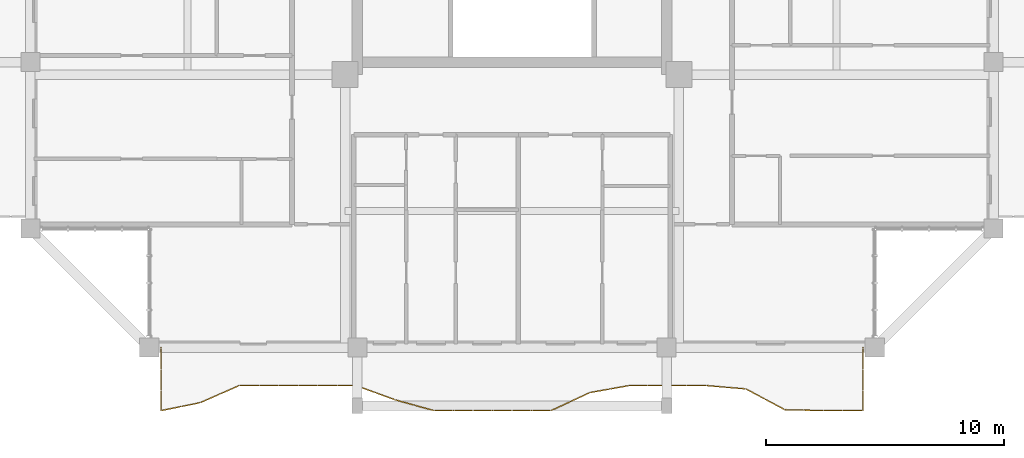
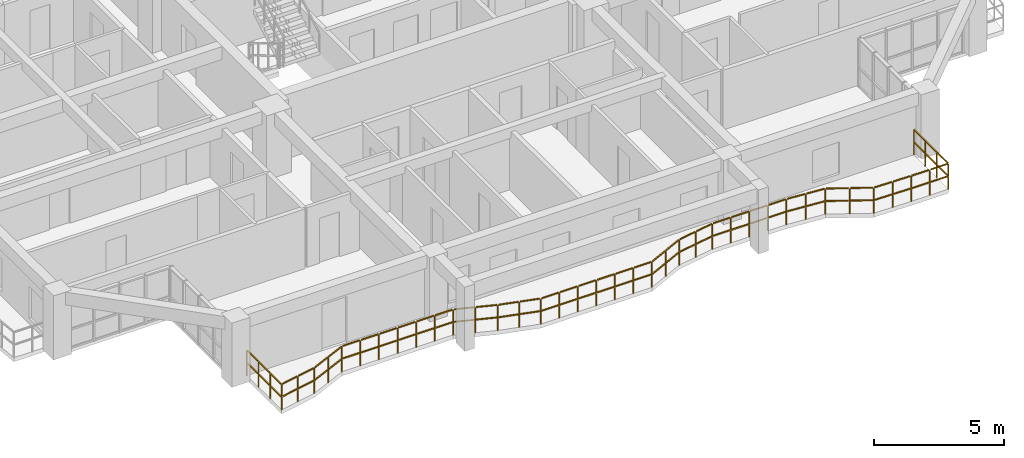
# One storey, part 18 of 22: 1 railing.
"""IFC4 building model written with IfcOpenShell, lengths in metres."""

import ifcopenshell
import ifcopenshell.guid

model = None  # the IFC model being written
_history = None  # IfcOwnerHistory: only IFC2X3 demands one
_inside = {}  # id of a spatial element -> (the spatial element, [elements in it])
_under = {}  # id of a project, library or spatial element -> (it, [spatial elements below it])
_declared = {}  # id of a project -> (the project, [libraries it declares])
_typed = {}  # id of a type object -> (the type object, [elements of that type])
_made_of = {}  # id of a material, layer set ... -> (it, [elements and type objects made of it])


def new_model(schema):
    """Start an empty IFC model of exactly this schema.

    Asked for "IFC4X3", IfcOpenShell would pick the latest addendum, in which some entities
    have other attributes; the version numbers below select the first issue.
    IFC2X3 requires an IfcOwnerHistory on every rooted entity: one is made here for all.
    """
    global model, _history
    if schema == "IFC4X3":
        model = ifcopenshell.file(schema_version=(4, 3, 0, 0))
    else:
        model = ifcopenshell.file(schema=schema)
    _inside.clear()
    _under.clear()
    _declared.clear()
    _typed.clear()
    _made_of.clear()
    _history = None
    if model.schema == "IFC2X3":
        org = make("IfcOrganization", Name="unknown")
        user = make(
            "IfcPersonAndOrganization",
            ThePerson=make("IfcPerson", FamilyName="unknown"),
            TheOrganization=org,
        )
        app = make(
            "IfcApplication",
            ApplicationDeveloper=org,
            Version="unknown",
            ApplicationFullName="unknown",
            ApplicationIdentifier="unknown",
        )
        _history = make(
            "IfcOwnerHistory",
            OwningUser=user,
            OwningApplication=app,
            ChangeAction="ADDED",
            CreationDate=0,
        )
    return model


def make(cls, **values):
    """One entity of the class cls with the attributes given. An attribute that is None is left unset."""
    return model.create_entity(
        cls, **{name: value for name, value in values.items() if value is not None}
    )


def rooted(cls, **values):
    """An entity with a GlobalId (a new one), such as an element, a storey or a relation."""
    return make(cls, GlobalId=ifcopenshell.guid.new(), OwnerHistory=_history, **values)


def si_unit(unit_type, name, prefix=None):
    """IfcSIUnit, for example si_unit("LENGTHUNIT", "METRE", prefix="MILLI")."""
    return make("IfcSIUnit", UnitType=unit_type, Prefix=prefix, Name=name)


def assignment(units):
    """IfcUnitAssignment: the units of a project."""
    return None if units is None else make("IfcUnitAssignment", Units=units)


def point(xyz):
    """IfcCartesianPoint."""
    return None if xyz is None else make("IfcCartesianPoint", Coordinates=xyz)


def direction(xyz):
    """IfcDirection."""
    return None if xyz is None else make("IfcDirection", DirectionRatios=xyz)


def frame(location, z_axis=None, x_axis=None):
    """IfcAxis2Placement3D, a coordinate frame: its origin and axes. An axis left out is left unset."""
    return make(
        "IfcAxis2Placement3D",
        Location=point(location),
        Axis=direction(z_axis),
        RefDirection=direction(x_axis),
    )


def frame_2d(location, x_axis=None):
    """IfcAxis2Placement2D, a coordinate frame in the plane: its origin and x axis."""
    return make(
        "IfcAxis2Placement2D", Location=point(location), RefDirection=direction(x_axis)
    )


def origin():
    """The frame at (0, 0, 0) with its axes left unset."""
    return frame((0.0, 0.0, 0.0))


def origin_2d():
    """The frame at (0, 0) in the plane with its x axis left unset."""
    return frame_2d((0.0, 0.0))


def place(relative_to, where):
    """IfcLocalPlacement: puts the frame where relative to a parent placement (None: the world)."""
    return make(
        "IfcLocalPlacement", PlacementRelTo=relative_to, RelativePlacement=where
    )


def context(
    kind, dimensions, precision=None, world=None, true_north=None, identifier=None
):
    """IfcGeometricRepresentationContext, for example the 3D "Model" context."""
    return make(
        "IfcGeometricRepresentationContext",
        ContextIdentifier=identifier,
        ContextType=kind,
        CoordinateSpaceDimension=dimensions,
        Precision=precision,
        WorldCoordinateSystem=world,
        TrueNorth=true_north,
    )


def subcontext(parent, identifier, kind, view, scale=None):
    """IfcGeometricRepresentationSubContext, for example "Body" below "Model"."""
    return make(
        "IfcGeometricRepresentationSubContext",
        ContextIdentifier=identifier,
        ContextType=kind,
        ParentContext=parent,
        TargetScale=scale,
        TargetView=view,
    )


def project(units=None, contexts=None):
    """IfcProject with its units and contexts."""
    return rooted(
        "IfcProject",
        Name="project",
        RepresentationContexts=contexts,
        UnitsInContext=assignment(units),
    )


def spatial(cls, under=None, at=None, **own):
    """A site, building, storey or space (cls), placed at a placement, below another one or the project."""
    s = rooted(cls, ObjectPlacement=at, **own)
    if under is not None:
        _under.setdefault(under.id(), (under, []))[1].append(s)
    return s


def profile(cls, at=None, kind="AREA", **sizes):
    """A parametric profile (cls). Its sizes go by their IFC names, for example OverallWidth=200.0."""
    return make(cls, ProfileType=kind, Position=at, **sizes)


def rectangle(**sizes):
    """IfcRectangleProfileDef."""
    return profile("IfcRectangleProfileDef", **sizes)


def extrude(swept, where, along, depth):
    """IfcExtrudedAreaSolid: the profile swept, set in the frame where, extruded along a direction by depth."""
    return make(
        "IfcExtrudedAreaSolid",
        SweptArea=swept,
        Position=where,
        ExtrudedDirection=direction(along),
        Depth=depth,
    )


def shape(context_of_items, identifier, shape_type, items):
    """IfcShapeRepresentation: the items that make up one representation, for example the "Body"."""
    return make(
        "IfcShapeRepresentation",
        ContextOfItems=context_of_items,
        RepresentationIdentifier=identifier,
        RepresentationType=shape_type,
        Items=items,
    )


def material(Name=None, Category=None):
    """IfcMaterial."""
    return make("IfcMaterial", Name=Name, Category=Category)


def made_of(thing, what):
    """Note that an element or type object is made of a material, layer set ...; save() writes the relation."""
    if what is not None:
        _made_of.setdefault(what.id(), (what, []))[1].append(thing)
    return thing


def type_object(cls, material=None, **own):
    """A type object (cls), such as IfcWallType, which elements share."""
    return made_of(rooted(cls, **own), material)


def element(
    cls,
    number,
    at=None,
    inside=None,
    cuts=None,
    type_object=None,
    material=None,
    context=None,
    identifier="Body",
    shape_type=None,
    held_by="IfcProductDefinitionShape",
    body=None,
    shapes=None,
    **own,
):
    """One element of the class cls, such as IfcWall. Its Tag is "e" and its number.

    at: its placement. inside: the storey or other place that contains it. cuts: it is an
    opening in that element (IfcRelVoidsElement). A single representation is given by context,
    identifier, shape_type and body (its items); several are given by shapes. held_by: the class
    of the entity that holds the representations. save() writes the other relations.
    """
    e = rooted(cls, Tag="e%d" % number, ObjectPlacement=at, **own)
    if body is not None:
        shapes = [shape(context, identifier, shape_type, body)]
    if shapes is not None:
        e.Representation = make(held_by, Representations=shapes)
    if inside is not None:
        _inside.setdefault(inside.id(), (inside, []))[1].append(e)
    if cuts is not None:
        rooted(
            "IfcRelVoidsElement", RelatingBuildingElement=cuts, RelatedOpeningElement=e
        )
    if type_object is not None:
        _typed.setdefault(type_object.id(), (type_object, []))[1].append(e)
    return made_of(e, material)


def aggregate(whole, parts):
    """IfcRelAggregates: a whole, such as a stair, and the parts it consists of."""
    return rooted("IfcRelAggregates", RelatingObject=whole, RelatedObjects=parts)


def save(model, path):
    """Write the relations noted so far, then the file.

    IfcRelAggregates (storeys below a building ...), IfcRelContainedInSpatialStructure (elements
    in a storey), IfcRelDefinesByType, IfcRelAssociatesMaterial and IfcRelDeclares: one each for
    every whole, place, type object, material and project.
    """
    for whole, parts in _under.values():
        aggregate(whole, parts)
    for where, things in _inside.values():
        rooted(
            "IfcRelContainedInSpatialStructure",
            RelatedElements=things,
            RelatingStructure=where,
        )
    for kind, things in _typed.values():
        rooted("IfcRelDefinesByType", RelatedObjects=things, RelatingType=kind)
    for what, things in _made_of.values():
        rooted("IfcRelAssociatesMaterial", RelatedObjects=things, RelatingMaterial=what)
    for by, libraries in _declared.values():
        rooted("IfcRelDeclares", RelatingContext=by, RelatedDefinitions=libraries)
    model.write(path)


model = new_model("IFC4")

# Units and contexts
model_context = context("Model", 3, precision=1e-05, world=origin(), true_north=direction((0.0, 1.0)))
body_context = subcontext(model_context, "Body", "Model", "MODEL_VIEW")
ifc_project = project(units=[si_unit("LENGTHUNIT", "METRE"), si_unit("AREAUNIT", "SQUARE_METRE"), si_unit("VOLUMEUNIT", "CUBIC_METRE"), si_unit("PLANEANGLEUNIT", "RADIAN"), si_unit("MASSUNIT", "GRAM", prefix="KILO")], contexts=[model_context])

# Site, building, storey
site_placement = place(None, origin())
site = spatial("IfcSite", under=ifc_project, at=site_placement, CompositionType="ELEMENT")
building_placement = place(site_placement, origin())
building = spatial("IfcBuilding", under=site, at=building_placement, Name="Saelheon Loggia Tower", CompositionType="ELEMENT")
storey_placement = place(building_placement, frame((0.0, 0.0, 176.800048828125)))
storey = spatial("IfcBuildingStorey", under=building, at=storey_placement, Name="L55", CompositionType="ELEMENT", Elevation=176.800048828125)

# Railing
ifc_material = material(Name="Architectural Precast Concrete and Laminated Glass Guard", Category="concrete")
railing_type = type_object("IfcRailingType", Name="Guard_Loggia_RL_LOG", PredefinedType="BALUSTRADE", material=ifc_material)
railing_placement = place(storey_placement, frame((23.25, 6.0, 0.0)))
element("IfcRailing", 1, at=railing_placement, inside=storey, type_object=railing_type, Name="L55 South Loggia Balustrade", PredefinedType="BALUSTRADE", context=body_context, shape_type="SweptSolid", body=[
    extrude(rectangle(XDim=0.048095703125, YDim=0.048095703125, at=origin_2d()), frame((0.0, -0.033203125, 1.19580078125), z_axis=(0.0, -1.0, 0.0), x_axis=(1.0, 0.0, 0.0)), (0.0, 0.0, 1.0), 0.81689453125),
    extrude(rectangle(XDim=0.048095703125, YDim=0.048095703125, at=origin_2d()), frame((0.0, -0.033203125, 0.60986328125), z_axis=(0.0, -1.0, 0.0), x_axis=(1.0, 0.0, 0.0)), (0.0, 0.0, 1.0), 0.81689453125),
    extrude(rectangle(XDim=0.048095703125, YDim=0.048095703125, at=origin_2d()), frame((0.0, -0.91650390625, 1.19580078125), z_axis=(0.0, -1.0, 0.0), x_axis=(1.0, 0.0, 0.0)), (0.0, 0.0, 1.0), 0.81689453125),
    extrude(rectangle(XDim=0.048095703125, YDim=0.048095703125, at=origin_2d()), frame((0.0, -0.91650390625, 0.60986328125), z_axis=(0.0, -1.0, 0.0), x_axis=(1.0, 0.0, 0.0)), (0.0, 0.0, 1.0), 0.81689453125),
    extrude(rectangle(XDim=0.048095703125, YDim=0.048095703125, at=origin_2d()), frame((0.0, -1.7998046875, 1.19580078125), z_axis=(0.0, -1.0, 0.0), x_axis=(1.0, 0.0, 0.0)), (0.0, 0.0, 1.0), 0.81689453125),
    extrude(rectangle(XDim=0.048095703125, YDim=0.048095703125, at=origin_2d()), frame((0.0, -1.7998046875, 0.60986328125), z_axis=(0.0, -1.0, 0.0), x_axis=(1.0, 0.0, 0.0)), (0.0, 0.0, 1.0), 0.81689453125),
    extrude(rectangle(XDim=0.048095703125, YDim=0.048095703125, at=origin_2d()), frame((0.032470703125, -2.643310546875, 1.19580078125), z_axis=(0.980174252442, 0.198137414057, 0.0), x_axis=(-0.198137414057, 0.980174252442, 0.0)), (0.0, 0.0, 1.0), 0.76953125),
    extrude(rectangle(XDim=0.048095703125, YDim=0.048095703125, at=origin_2d()), frame((0.032470703125, -2.643310546875, 0.60986328125), z_axis=(0.980174252442, 0.198137414057, 0.0), x_axis=(-0.198137414057, 0.980174252442, 0.0)), (0.0, 0.0, 1.0), 0.76953125),
    extrude(rectangle(XDim=0.048095703125, YDim=0.048095703125, at=origin_2d()), frame((0.85205078125, -2.477783203125, 1.19580078125), z_axis=(0.980174252442, 0.198137414057, 0.0), x_axis=(-0.198137414057, 0.980174252442, 0.0)), (0.0, 0.0, 1.0), 0.76953125),
    extrude(rectangle(XDim=0.048095703125, YDim=0.048095703125, at=origin_2d()), frame((0.85205078125, -2.477783203125, 0.60986328125), z_axis=(0.980174252442, 0.198137414057, 0.0), x_axis=(-0.198137414057, 0.980174252442, 0.0)), (0.0, 0.0, 1.0), 0.76953125),
    extrude(rectangle(XDim=0.048095703125, YDim=0.048095703125, at=origin_2d()), frame((1.66943359375, -2.30517578125, 1.19580078125), z_axis=(0.915853347794, 0.401512945413, 0.0), x_axis=(-0.401512945413, 0.915853347794, 0.0)), (0.0, 0.0, 1.0), 0.828369140625),
    extrude(rectangle(XDim=0.048095703125, YDim=0.048095703125, at=origin_2d()), frame((1.66943359375, -2.30517578125, 0.60986328125), z_axis=(0.915853347794, 0.401512945413, 0.0), x_axis=(-0.401512945413, 0.915853347794, 0.0)), (0.0, 0.0, 1.0), 0.828369140625),
    extrude(rectangle(XDim=0.048095703125, YDim=0.048095703125, at=origin_2d()), frame((2.48876953125, -1.946044921875, 1.19580078125), z_axis=(0.915853347794, 0.401512945413, 0.0), x_axis=(-0.401512945413, 0.915853347794, 0.0)), (0.0, 0.0, 1.0), 0.828369140625),
    extrude(rectangle(XDim=0.048095703125, YDim=0.048095703125, at=origin_2d()), frame((2.48876953125, -1.946044921875, 0.60986328125), z_axis=(0.915853347794, 0.401512945413, 0.0), x_axis=(-0.401512945413, 0.915853347794, 0.0)), (0.0, 0.0, 1.0), 0.828369140625),
    extrude(rectangle(XDim=0.048095703125, YDim=0.048095703125, at=origin_2d()), frame((3.31103515625, -1.60009765625, 1.19580078125), z_axis=(1.0, 0.0, 0.0), x_axis=(0.0, 1.0, 0.0)), (0.0, 0.0, 1.0), 0.7529296875),
    extrude(rectangle(XDim=0.048095703125, YDim=0.048095703125, at=origin_2d()), frame((3.31103515625, -1.60009765625, 0.60986328125), z_axis=(1.0, 0.0, 0.0), x_axis=(0.0, 1.0, 0.0)), (0.0, 0.0, 1.0), 0.7529296875),
    extrude(rectangle(XDim=0.048095703125, YDim=0.048095703125, at=origin_2d()), frame((4.130615234375, -1.60009765625, 1.19580078125), z_axis=(1.0, 0.0, 0.0), x_axis=(0.0, 1.0, 0.0)), (0.0, 0.0, 1.0), 0.7529296875),
    extrude(rectangle(XDim=0.048095703125, YDim=0.048095703125, at=origin_2d()), frame((4.130615234375, -1.60009765625, 0.60986328125), z_axis=(1.0, 0.0, 0.0), x_axis=(0.0, 1.0, 0.0)), (0.0, 0.0, 1.0), 0.7529296875),
    extrude(rectangle(XDim=0.048095703125, YDim=0.048095703125, at=origin_2d()), frame((4.949951171875, -1.60009765625, 1.19580078125), z_axis=(1.0, 0.0, 0.0), x_axis=(0.0, 1.0, 0.0)), (0.0, 0.0, 1.0), 0.7529296875),
    extrude(rectangle(XDim=0.048095703125, YDim=0.048095703125, at=origin_2d()), frame((4.949951171875, -1.60009765625, 0.60986328125), z_axis=(1.0, 0.0, 0.0), x_axis=(0.0, 1.0, 0.0)), (0.0, 0.0, 1.0), 0.7529296875),
    extrude(rectangle(XDim=0.048095703125, YDim=0.048095703125, at=origin_2d()), frame((5.76953125, -1.60009765625, 1.19580078125), z_axis=(1.0, 0.0, 0.0), x_axis=(0.0, 1.0, 0.0)), (0.0, 0.0, 1.0), 0.7529296875),
    extrude(rectangle(XDim=0.048095703125, YDim=0.048095703125, at=origin_2d()), frame((5.76953125, -1.60009765625, 0.60986328125), z_axis=(1.0, 0.0, 0.0), x_axis=(0.0, 1.0, 0.0)), (0.0, 0.0, 1.0), 0.7529296875),
    extrude(rectangle(XDim=0.048095703125, YDim=0.048095703125, at=origin_2d()), frame((6.5888671875, -1.60009765625, 1.19580078125), z_axis=(1.0, 0.0, 0.0), x_axis=(0.0, 1.0, 0.0)), (0.0, 0.0, 1.0), 0.7529296875),
    extrude(rectangle(XDim=0.048095703125, YDim=0.048095703125, at=origin_2d()), frame((6.5888671875, -1.60009765625, 0.60986328125), z_axis=(1.0, 0.0, 0.0), x_axis=(0.0, 1.0, 0.0)), (0.0, 0.0, 1.0), 0.7529296875),
    extrude(rectangle(XDim=0.048095703125, YDim=0.048095703125, at=origin_2d()), frame((7.408203125, -1.60009765625, 1.19580078125), z_axis=(1.0, 0.0, 0.0), x_axis=(0.0, 1.0, 0.0)), (0.0, 0.0, 1.0), 0.7529296875),
    extrude(rectangle(XDim=0.048095703125, YDim=0.048095703125, at=origin_2d()), frame((7.408203125, -1.60009765625, 0.60986328125), z_axis=(1.0, 0.0, 0.0), x_axis=(0.0, 1.0, 0.0)), (0.0, 0.0, 1.0), 0.7529296875),
    extrude(rectangle(XDim=0.048095703125, YDim=0.048095703125, at=origin_2d()), frame((8.2255859375, -1.611328125, 1.19580078125), z_axis=(0.939932340471, -0.341360799355, 0.0), x_axis=(0.341360799355, 0.939932340471, 0.0)), (0.0, 0.0, 1.0), 0.805419921875),
    extrude(rectangle(XDim=0.048095703125, YDim=0.048095703125, at=origin_2d()), frame((8.2255859375, -1.611328125, 0.60986328125), z_axis=(0.939932340471, -0.341360799355, 0.0), x_axis=(0.341360799355, 0.939932340471, 0.0)), (0.0, 0.0, 1.0), 0.805419921875),
    extrude(rectangle(XDim=0.048095703125, YDim=0.048095703125, at=origin_2d()), frame((9.044921875, -1.908935546875, 1.19580078125), z_axis=(0.939932340471, -0.341360799355, 0.0), x_axis=(0.341360799355, 0.939932340471, 0.0)), (0.0, 0.0, 1.0), 0.805419921875),
    extrude(rectangle(XDim=0.048095703125, YDim=0.048095703125, at=origin_2d()), frame((9.044921875, -1.908935546875, 0.60986328125), z_axis=(0.939932340471, -0.341360799355, 0.0), x_axis=(0.341360799355, 0.939932340471, 0.0)), (0.0, 0.0, 1.0), 0.805419921875),
    extrude(rectangle(XDim=0.048095703125, YDim=0.048095703125, at=origin_2d()), frame((9.865234375, -2.2041015625, 1.19580078125), z_axis=(0.963618610857, -0.267281074544, 0.0), x_axis=(0.267281074544, 0.963618610857, 0.0)), (0.0, 0.0, 1.0), 0.783935546875),
    extrude(rectangle(XDim=0.048095703125, YDim=0.048095703125, at=origin_2d()), frame((9.865234375, -2.2041015625, 0.60986328125), z_axis=(0.963618610857, -0.267281074544, 0.0), x_axis=(0.267281074544, 0.963618610857, 0.0)), (0.0, 0.0, 1.0), 0.783935546875),
    extrude(rectangle(XDim=0.048095703125, YDim=0.048095703125, at=origin_2d()), frame((10.684814453125, -2.431396484375, 1.19580078125), z_axis=(0.963618610857, -0.267281074544, 0.0), x_axis=(0.267281074544, 0.963618610857, 0.0)), (0.0, 0.0, 1.0), 0.783935546875),
    extrude(rectangle(XDim=0.048095703125, YDim=0.048095703125, at=origin_2d()), frame((10.684814453125, -2.431396484375, 0.60986328125), z_axis=(0.963618610857, -0.267281074544, 0.0), x_axis=(0.267281074544, 0.963618610857, 0.0)), (0.0, 0.0, 1.0), 0.783935546875),
    extrude(rectangle(XDim=0.048095703125, YDim=0.048095703125, at=origin_2d()), frame((11.50537109375, -2.64990234375, 1.19580078125), z_axis=(1.0, 0.0, 0.0), x_axis=(0.0, 1.0, 0.0)), (0.0, 0.0, 1.0), 0.7529296875),
    extrude(rectangle(XDim=0.048095703125, YDim=0.048095703125, at=origin_2d()), frame((11.50537109375, -2.64990234375, 0.60986328125), z_axis=(1.0, 0.0, 0.0), x_axis=(0.0, 1.0, 0.0)), (0.0, 0.0, 1.0), 0.7529296875),
    extrude(rectangle(XDim=0.048095703125, YDim=0.048095703125, at=origin_2d()), frame((12.324951171875, -2.64990234375, 1.19580078125), z_axis=(1.0, 0.0, 0.0), x_axis=(0.0, 1.0, 0.0)), (0.0, 0.0, 1.0), 0.7529296875),
    extrude(rectangle(XDim=0.048095703125, YDim=0.048095703125, at=origin_2d()), frame((12.324951171875, -2.64990234375, 0.60986328125), z_axis=(1.0, 0.0, 0.0), x_axis=(0.0, 1.0, 0.0)), (0.0, 0.0, 1.0), 0.7529296875),
    extrude(rectangle(XDim=0.048095703125, YDim=0.048095703125, at=origin_2d()), frame((13.144287109375, -2.64990234375, 1.19580078125), z_axis=(1.0, 0.0, 0.0), x_axis=(0.0, 1.0, 0.0)), (0.0, 0.0, 1.0), 0.7529296875),
    extrude(rectangle(XDim=0.048095703125, YDim=0.048095703125, at=origin_2d()), frame((13.144287109375, -2.64990234375, 0.60986328125), z_axis=(1.0, 0.0, 0.0), x_axis=(0.0, 1.0, 0.0)), (0.0, 0.0, 1.0), 0.7529296875),
    extrude(rectangle(XDim=0.048095703125, YDim=0.048095703125, at=origin_2d()), frame((13.9638671875, -2.64990234375, 1.19580078125), z_axis=(1.0, 0.0, 0.0), x_axis=(0.0, 1.0, 0.0)), (0.0, 0.0, 1.0), 0.7529296875),
    extrude(rectangle(XDim=0.048095703125, YDim=0.048095703125, at=origin_2d()), frame((13.9638671875, -2.64990234375, 0.60986328125), z_axis=(1.0, 0.0, 0.0), x_axis=(0.0, 1.0, 0.0)), (0.0, 0.0, 1.0), 0.7529296875),
    extrude(rectangle(XDim=0.048095703125, YDim=0.048095703125, at=origin_2d()), frame((14.783203125, -2.64990234375, 1.19580078125), z_axis=(1.0, 0.0, 0.0), x_axis=(0.0, 1.0, 0.0)), (0.0, 0.0, 1.0), 0.7529296875),
    extrude(rectangle(XDim=0.048095703125, YDim=0.048095703125, at=origin_2d()), frame((14.783203125, -2.64990234375, 0.60986328125), z_axis=(1.0, 0.0, 0.0), x_axis=(0.0, 1.0, 0.0)), (0.0, 0.0, 1.0), 0.7529296875),
    extrude(rectangle(XDim=0.048095703125, YDim=0.048095703125, at=origin_2d()), frame((15.602783203125, -2.64990234375, 1.19580078125), z_axis=(1.0, 0.0, 0.0), x_axis=(0.0, 1.0, 0.0)), (0.0, 0.0, 1.0), 0.7529296875),
    extrude(rectangle(XDim=0.048095703125, YDim=0.048095703125, at=origin_2d()), frame((15.602783203125, -2.64990234375, 0.60986328125), z_axis=(1.0, 0.0, 0.0), x_axis=(0.0, 1.0, 0.0)), (0.0, 0.0, 1.0), 0.7529296875),
    extrude(rectangle(XDim=0.048095703125, YDim=0.048095703125, at=origin_2d()), frame((16.419189453125, -2.635986328125, 1.19580078125), z_axis=(0.907614806206, 0.419803958479, 0.0), x_axis=(-0.419803958479, 0.907614806206, 0.0)), (0.0, 0.0, 1.0), 0.83642578125),
    extrude(rectangle(XDim=0.048095703125, YDim=0.048095703125, at=origin_2d()), frame((16.419189453125, -2.635986328125, 0.60986328125), z_axis=(0.907614806206, 0.419803958479, 0.0), x_axis=(-0.419803958479, 0.907614806206, 0.0)), (0.0, 0.0, 1.0), 0.83642578125),
    extrude(rectangle(XDim=0.048095703125, YDim=0.048095703125, at=origin_2d()), frame((17.238525390625, -2.2568359375, 1.19580078125), z_axis=(0.907614806206, 0.419803958479, 0.0), x_axis=(-0.419803958479, 0.907614806206, 0.0)), (0.0, 0.0, 1.0), 0.83642578125),
    extrude(rectangle(XDim=0.048095703125, YDim=0.048095703125, at=origin_2d()), frame((17.238525390625, -2.2568359375, 0.60986328125), z_axis=(0.907614806206, 0.419803958479, 0.0), x_axis=(-0.419803958479, 0.907614806206, 0.0)), (0.0, 0.0, 1.0), 0.83642578125),
    extrude(rectangle(XDim=0.048095703125, YDim=0.048095703125, at=origin_2d()), frame((18.060546875, -1.885986328125, 1.19580078125), z_axis=(0.98452260556, 0.175257636473, 0.0), x_axis=(-0.175257636473, 0.98452260556, 0.0)), (0.0, 0.0, 1.0), 0.765869140625),
    extrude(rectangle(XDim=0.048095703125, YDim=0.048095703125, at=origin_2d()), frame((18.060546875, -1.885986328125, 0.60986328125), z_axis=(0.98452260556, 0.175257636473, 0.0), x_axis=(-0.175257636473, 0.98452260556, 0.0)), (0.0, 0.0, 1.0), 0.765869140625),
    extrude(rectangle(XDim=0.048095703125, YDim=0.048095703125, at=origin_2d()), frame((18.880126953125, -1.740234375, 1.19580078125), z_axis=(0.98452260556, 0.175257636473, 0.0), x_axis=(-0.175257636473, 0.98452260556, 0.0)), (0.0, 0.0, 1.0), 0.765869140625),
    extrude(rectangle(XDim=0.048095703125, YDim=0.048095703125, at=origin_2d()), frame((18.880126953125, -1.740234375, 0.60986328125), z_axis=(0.98452260556, 0.175257636473, 0.0), x_axis=(-0.175257636473, 0.98452260556, 0.0)), (0.0, 0.0, 1.0), 0.765869140625),
    extrude(rectangle(XDim=0.048095703125, YDim=0.048095703125, at=origin_2d()), frame((19.699951171875, -1.60009765625, 1.19580078125), z_axis=(1.0, 0.0, 0.0), x_axis=(0.0, 1.0, 0.0)), (0.0, 0.0, 1.0), 0.7529296875),
    extrude(rectangle(XDim=0.048095703125, YDim=0.048095703125, at=origin_2d()), frame((19.699951171875, -1.60009765625, 0.60986328125), z_axis=(1.0, 0.0, 0.0), x_axis=(0.0, 1.0, 0.0)), (0.0, 0.0, 1.0), 0.7529296875),
    extrude(rectangle(XDim=0.048095703125, YDim=0.048095703125, at=origin_2d()), frame((20.51953125, -1.60009765625, 1.19580078125), z_axis=(1.0, 0.0, 0.0), x_axis=(0.0, 1.0, 0.0)), (0.0, 0.0, 1.0), 0.7529296875),
    extrude(rectangle(XDim=0.048095703125, YDim=0.048095703125, at=origin_2d()), frame((20.51953125, -1.60009765625, 0.60986328125), z_axis=(1.0, 0.0, 0.0), x_axis=(0.0, 1.0, 0.0)), (0.0, 0.0, 1.0), 0.7529296875),
    extrude(rectangle(XDim=0.048095703125, YDim=0.048095703125, at=origin_2d()), frame((21.3388671875, -1.60009765625, 1.19580078125), z_axis=(1.0, 0.0, 0.0), x_axis=(0.0, 1.0, 0.0)), (0.0, 0.0, 1.0), 0.7529296875),
    extrude(rectangle(XDim=0.048095703125, YDim=0.048095703125, at=origin_2d()), frame((21.3388671875, -1.60009765625, 0.60986328125), z_axis=(1.0, 0.0, 0.0), x_axis=(0.0, 1.0, 0.0)), (0.0, 0.0, 1.0), 0.7529296875),
    extrude(rectangle(XDim=0.048095703125, YDim=0.048095703125, at=origin_2d()), frame((22.158203125, -1.60009765625, 1.19580078125), z_axis=(1.0, 0.0, 0.0), x_axis=(0.0, 1.0, 0.0)), (0.0, 0.0, 1.0), 0.7529296875),
    extrude(rectangle(XDim=0.048095703125, YDim=0.048095703125, at=origin_2d()), frame((22.158203125, -1.60009765625, 0.60986328125), z_axis=(1.0, 0.0, 0.0), x_axis=(0.0, 1.0, 0.0)), (0.0, 0.0, 1.0), 0.7529296875),
    extrude(rectangle(XDim=0.048095703125, YDim=0.048095703125, at=origin_2d()), frame((22.9775390625, -1.60302734375, 1.19580078125), z_axis=(0.996389463441, -0.084900159852, 0.0), x_axis=(0.084900159852, 0.996389463441, 0.0)), (0.0, 0.0, 1.0), 0.755859375),
    extrude(rectangle(XDim=0.048095703125, YDim=0.048095703125, at=origin_2d()), frame((22.9775390625, -1.60302734375, 0.60986328125), z_axis=(0.996389463441, -0.084900159852, 0.0), x_axis=(0.084900159852, 0.996389463441, 0.0)), (0.0, 0.0, 1.0), 0.755859375),
    extrude(rectangle(XDim=0.048095703125, YDim=0.048095703125, at=origin_2d()), frame((23.796875, -1.6728515625, 1.19580078125), z_axis=(0.996389463441, -0.084900159852, 0.0), x_axis=(0.084900159852, 0.996389463441, 0.0)), (0.0, 0.0, 1.0), 0.755859375),
    extrude(rectangle(XDim=0.048095703125, YDim=0.048095703125, at=origin_2d()), frame((23.796875, -1.6728515625, 0.60986328125), z_axis=(0.996389463441, -0.084900159852, 0.0), x_axis=(0.084900159852, 0.996389463441, 0.0)), (0.0, 0.0, 1.0), 0.755859375),
    extrude(rectangle(XDim=0.048095703125, YDim=0.048095703125, at=origin_2d()), frame((24.612548828125, -1.75537109375, 1.19580078125), z_axis=(0.882203745143, -0.470867871123, 0.0), x_axis=(0.470867871123, 0.882203745143, 0.0)), (0.0, 0.0, 1.0), 0.8623046875),
    extrude(rectangle(XDim=0.048095703125, YDim=0.048095703125, at=origin_2d()), frame((24.612548828125, -1.75537109375, 0.60986328125), z_axis=(0.882203745143, -0.470867871123, 0.0), x_axis=(0.470867871123, 0.882203745143, 0.0)), (0.0, 0.0, 1.0), 0.8623046875),
    extrude(rectangle(XDim=0.048095703125, YDim=0.048095703125, at=origin_2d()), frame((25.43212890625, -2.19287109375, 1.19580078125), z_axis=(0.882203745143, -0.470867871123, 0.0), x_axis=(0.470867871123, 0.882203745143, 0.0)), (0.0, 0.0, 1.0), 0.8623046875),
    extrude(rectangle(XDim=0.048095703125, YDim=0.048095703125, at=origin_2d()), frame((25.43212890625, -2.19287109375, 0.60986328125), z_axis=(0.882203745143, -0.470867871123, 0.0), x_axis=(0.470867871123, 0.882203745143, 0.0)), (0.0, 0.0, 1.0), 0.8623046875),
    extrude(rectangle(XDim=0.048095703125, YDim=0.048095703125, at=origin_2d()), frame((26.25537109375, -2.615234375, 1.19580078125), z_axis=(0.99976680417, -0.021594843826, 0.0), x_axis=(0.021594843826, 0.99976680417, 0.0)), (0.0, 0.0, 1.0), 0.753173828125),
    extrude(rectangle(XDim=0.048095703125, YDim=0.048095703125, at=origin_2d()), frame((26.25537109375, -2.615234375, 0.60986328125), z_axis=(0.99976680417, -0.021594843826, 0.0), x_axis=(0.021594843826, 0.99976680417, 0.0)), (0.0, 0.0, 1.0), 0.753173828125),
    extrude(rectangle(XDim=0.048095703125, YDim=0.048095703125, at=origin_2d()), frame((27.074951171875, -2.6328125, 1.19580078125), z_axis=(0.99976680417, -0.021594843826, 0.0), x_axis=(0.021594843826, 0.99976680417, 0.0)), (0.0, 0.0, 1.0), 0.753173828125),
    extrude(rectangle(XDim=0.048095703125, YDim=0.048095703125, at=origin_2d()), frame((27.074951171875, -2.6328125, 0.60986328125), z_axis=(0.99976680417, -0.021594843826, 0.0), x_axis=(0.021594843826, 0.99976680417, 0.0)), (0.0, 0.0, 1.0), 0.753173828125),
    extrude(rectangle(XDim=0.048095703125, YDim=0.048095703125, at=origin_2d()), frame((27.894287109375, -2.64990234375, 1.19580078125), z_axis=(1.0, 0.0, 0.0), x_axis=(0.0, 1.0, 0.0)), (0.0, 0.0, 1.0), 0.7529296875),
    extrude(rectangle(XDim=0.048095703125, YDim=0.048095703125, at=origin_2d()), frame((27.894287109375, -2.64990234375, 0.60986328125), z_axis=(1.0, 0.0, 0.0), x_axis=(0.0, 1.0, 0.0)), (0.0, 0.0, 1.0), 0.7529296875),
    extrude(rectangle(XDim=0.048095703125, YDim=0.048095703125, at=origin_2d()), frame((28.7138671875, -2.64990234375, 1.19580078125), z_axis=(1.0, 0.0, 0.0), x_axis=(0.0, 1.0, 0.0)), (0.0, 0.0, 1.0), 0.7529296875),
    extrude(rectangle(XDim=0.048095703125, YDim=0.048095703125, at=origin_2d()), frame((28.7138671875, -2.64990234375, 0.60986328125), z_axis=(1.0, 0.0, 0.0), x_axis=(0.0, 1.0, 0.0)), (0.0, 0.0, 1.0), 0.7529296875),
    extrude(rectangle(XDim=0.048095703125, YDim=0.048095703125, at=origin_2d()), frame((29.5, -2.61669921875, 1.19580078125), z_axis=(0.0, 1.0, 0.0), x_axis=(-1.0, 0.0, 0.0)), (0.0, 0.0, 1.0), 0.81689453125),
    extrude(rectangle(XDim=0.048095703125, YDim=0.048095703125, at=origin_2d()), frame((29.5, -2.61669921875, 0.60986328125), z_axis=(0.0, 1.0, 0.0), x_axis=(-1.0, 0.0, 0.0)), (0.0, 0.0, 1.0), 0.81689453125),
    extrude(rectangle(XDim=0.048095703125, YDim=0.048095703125, at=origin_2d()), frame((29.5, -1.7333984375, 1.19580078125), z_axis=(0.0, 1.0, 0.0), x_axis=(-1.0, 0.0, 0.0)), (0.0, 0.0, 1.0), 0.81689453125),
    extrude(rectangle(XDim=0.048095703125, YDim=0.048095703125, at=origin_2d()), frame((29.5, -1.7333984375, 0.60986328125), z_axis=(0.0, 1.0, 0.0), x_axis=(-1.0, 0.0, 0.0)), (0.0, 0.0, 1.0), 0.81689453125),
    extrude(rectangle(XDim=0.048095703125, YDim=0.048095703125, at=origin_2d()), frame((29.5, -0.85009765625, 1.19580078125), z_axis=(0.0, 1.0, 0.0), x_axis=(-1.0, 0.0, 0.0)), (0.0, 0.0, 1.0), 0.81689453125),
    extrude(rectangle(XDim=0.048095703125, YDim=0.048095703125, at=origin_2d()), frame((29.5, -0.85009765625, 0.60986328125), z_axis=(0.0, 1.0, 0.0), x_axis=(-1.0, 0.0, 0.0)), (0.0, 0.0, 1.0), 0.81689453125),
    extrude(rectangle(XDim=0.0419921875, YDim=0.0419921875, at=origin_2d()), origin(), (0.0, 0.0, 1.0), 1.16796875),
    extrude(rectangle(XDim=0.0419921875, YDim=0.0419921875, at=origin_2d()), frame((0.0, -0.88330078125, 0.0)), (0.0, 0.0, 1.0), 1.16796875),
    extrude(rectangle(XDim=0.0419921875, YDim=0.0419921875, at=origin_2d()), frame((0.0, -1.7666015625, 0.0)), (0.0, 0.0, 1.0), 1.16796875),
    extrude(rectangle(XDim=0.0419921875, YDim=0.0419921875, at=origin_2d()), frame((0.0, -2.64990234375, 0.0)), (0.0, 0.0, 1.0), 1.16796875),
    extrude(rectangle(XDim=0.0419921875, YDim=0.0419921875, at=origin_2d()), frame((0.8193359375, -2.484375, 0.0)), (0.0, 0.0, 1.0), 1.16796875),
    extrude(rectangle(XDim=0.0419921875, YDim=0.0419921875, at=origin_2d()), frame((1.638916015625, -2.318603515625, 0.0)), (0.0, 0.0, 1.0), 1.16796875),
    extrude(rectangle(XDim=0.0419921875, YDim=0.0419921875, at=origin_2d()), frame((2.45849609375, -1.95947265625, 0.0)), (0.0, 0.0, 1.0), 1.16796875),
    extrude(rectangle(XDim=0.0419921875, YDim=0.0419921875, at=origin_2d()), frame((3.27783203125, -1.60009765625, 0.0)), (0.0, 0.0, 1.0), 1.16796875),
    extrude(rectangle(XDim=0.0419921875, YDim=0.0419921875, at=origin_2d()), frame((4.09716796875, -1.60009765625, 0.0)), (0.0, 0.0, 1.0), 1.16796875),
    extrude(rectangle(XDim=0.0419921875, YDim=0.0419921875, at=origin_2d()), frame((4.916748046875, -1.60009765625, 0.0)), (0.0, 0.0, 1.0), 1.16796875),
    extrude(rectangle(XDim=0.0419921875, YDim=0.0419921875, at=origin_2d()), frame((5.736328125, -1.60009765625, 0.0)), (0.0, 0.0, 1.0), 1.16796875),
    extrude(rectangle(XDim=0.0419921875, YDim=0.0419921875, at=origin_2d()), frame((6.5556640625, -1.60009765625, 0.0)), (0.0, 0.0, 1.0), 1.16796875),
    extrude(rectangle(XDim=0.0419921875, YDim=0.0419921875, at=origin_2d()), frame((7.375, -1.60009765625, 0.0)), (0.0, 0.0, 1.0), 1.16796875),
    extrude(rectangle(XDim=0.0419921875, YDim=0.0419921875, at=origin_2d()), frame((8.1943359375, -1.60009765625, 0.0)), (0.0, 0.0, 1.0), 1.16796875),
    extrude(rectangle(XDim=0.0419921875, YDim=0.0419921875, at=origin_2d()), frame((9.013671875, -1.897705078125, 0.0)), (0.0, 0.0, 1.0), 1.16796875),
    extrude(rectangle(XDim=0.0419921875, YDim=0.0419921875, at=origin_2d()), frame((9.833251953125, -2.1953125, 0.0)), (0.0, 0.0, 1.0), 1.16796875),
    extrude(rectangle(XDim=0.0419921875, YDim=0.0419921875, at=origin_2d()), frame((10.65283203125, -2.422607421875, 0.0)), (0.0, 0.0, 1.0), 1.16796875),
    extrude(rectangle(XDim=0.0419921875, YDim=0.0419921875, at=origin_2d()), frame((11.47216796875, -2.64990234375, 0.0)), (0.0, 0.0, 1.0), 1.16796875),
    extrude(rectangle(XDim=0.0419921875, YDim=0.0419921875, at=origin_2d()), frame((12.29150390625, -2.64990234375, 0.0)), (0.0, 0.0, 1.0), 1.16796875),
    extrude(rectangle(XDim=0.0419921875, YDim=0.0419921875, at=origin_2d()), frame((13.111083984375, -2.64990234375, 0.0)), (0.0, 0.0, 1.0), 1.16796875),
    extrude(rectangle(XDim=0.0419921875, YDim=0.0419921875, at=origin_2d()), frame((13.9306640625, -2.64990234375, 0.0)), (0.0, 0.0, 1.0), 1.16796875),
    extrude(rectangle(XDim=0.0419921875, YDim=0.0419921875, at=origin_2d()), frame((14.75, -2.64990234375, 0.0)), (0.0, 0.0, 1.0), 1.16796875),
    extrude(rectangle(XDim=0.0419921875, YDim=0.0419921875, at=origin_2d()), frame((15.5693359375, -2.64990234375, 0.0)), (0.0, 0.0, 1.0), 1.16796875),
    extrude(rectangle(XDim=0.0419921875, YDim=0.0419921875, at=origin_2d()), frame((16.388916015625, -2.64990234375, 0.0)), (0.0, 0.0, 1.0), 1.16796875),
    extrude(rectangle(XDim=0.0419921875, YDim=0.0419921875, at=origin_2d()), frame((17.20849609375, -2.27099609375, 0.0)), (0.0, 0.0, 1.0), 1.16796875),
    extrude(rectangle(XDim=0.0419921875, YDim=0.0419921875, at=origin_2d()), frame((18.02783203125, -1.891845703125, 0.0)), (0.0, 0.0, 1.0), 1.16796875),
    extrude(rectangle(XDim=0.0419921875, YDim=0.0419921875, at=origin_2d()), frame((18.84716796875, -1.74609375, 0.0)), (0.0, 0.0, 1.0), 1.16796875),
    extrude(rectangle(XDim=0.0419921875, YDim=0.0419921875, at=origin_2d()), frame((19.666748046875, -1.60009765625, 0.0)), (0.0, 0.0, 1.0), 1.16796875),
    extrude(rectangle(XDim=0.0419921875, YDim=0.0419921875, at=origin_2d()), frame((20.486328125, -1.60009765625, 0.0)), (0.0, 0.0, 1.0), 1.16796875),
    extrude(rectangle(XDim=0.0419921875, YDim=0.0419921875, at=origin_2d()), frame((21.3056640625, -1.60009765625, 0.0)), (0.0, 0.0, 1.0), 1.16796875),
    extrude(rectangle(XDim=0.0419921875, YDim=0.0419921875, at=origin_2d()), frame((22.125, -1.60009765625, 0.0)), (0.0, 0.0, 1.0), 1.16796875),
    extrude(rectangle(XDim=0.0419921875, YDim=0.0419921875, at=origin_2d()), frame((22.9443359375, -1.60009765625, 0.0)), (0.0, 0.0, 1.0), 1.16796875),
    extrude(rectangle(XDim=0.0419921875, YDim=0.0419921875, at=origin_2d()), frame((23.763671875, -1.669921875, 0.0)), (0.0, 0.0, 1.0), 1.16796875),
    extrude(rectangle(XDim=0.0419921875, YDim=0.0419921875, at=origin_2d()), frame((24.583251953125, -1.73974609375, 0.0)), (0.0, 0.0, 1.0), 1.16796875),
    extrude(rectangle(XDim=0.0419921875, YDim=0.0419921875, at=origin_2d()), frame((25.40283203125, -2.17724609375, 0.0)), (0.0, 0.0, 1.0), 1.16796875),
    extrude(rectangle(XDim=0.0419921875, YDim=0.0419921875, at=origin_2d()), frame((26.22216796875, -2.614501953125, 0.0)), (0.0, 0.0, 1.0), 1.16796875),
    extrude(rectangle(XDim=0.0419921875, YDim=0.0419921875, at=origin_2d()), frame((27.04150390625, -2.63232421875, 0.0)), (0.0, 0.0, 1.0), 1.16796875),
    extrude(rectangle(XDim=0.0419921875, YDim=0.0419921875, at=origin_2d()), frame((27.861083984375, -2.64990234375, 0.0)), (0.0, 0.0, 1.0), 1.16796875),
    extrude(rectangle(XDim=0.0419921875, YDim=0.0419921875, at=origin_2d()), frame((28.6806640625, -2.64990234375, 0.0)), (0.0, 0.0, 1.0), 1.16796875),
    extrude(rectangle(XDim=0.0419921875, YDim=0.0419921875, at=origin_2d()), frame((29.5, -2.64990234375, 0.0)), (0.0, 0.0, 1.0), 1.16796875),
    extrude(rectangle(XDim=0.0419921875, YDim=0.0419921875, at=origin_2d()), frame((29.5, -1.7666015625, 0.0)), (0.0, 0.0, 1.0), 1.16796875),
    extrude(rectangle(XDim=0.0419921875, YDim=0.0419921875, at=origin_2d()), frame((29.5, -0.88330078125, 0.0)), (0.0, 0.0, 1.0), 1.16796875),
    extrude(rectangle(XDim=0.0419921875, YDim=0.0419921875, at=origin_2d()), frame((29.5, 0.0, 0.0)), (0.0, 0.0, 1.0), 1.16796875),
])

save(model, "model.ifc")
